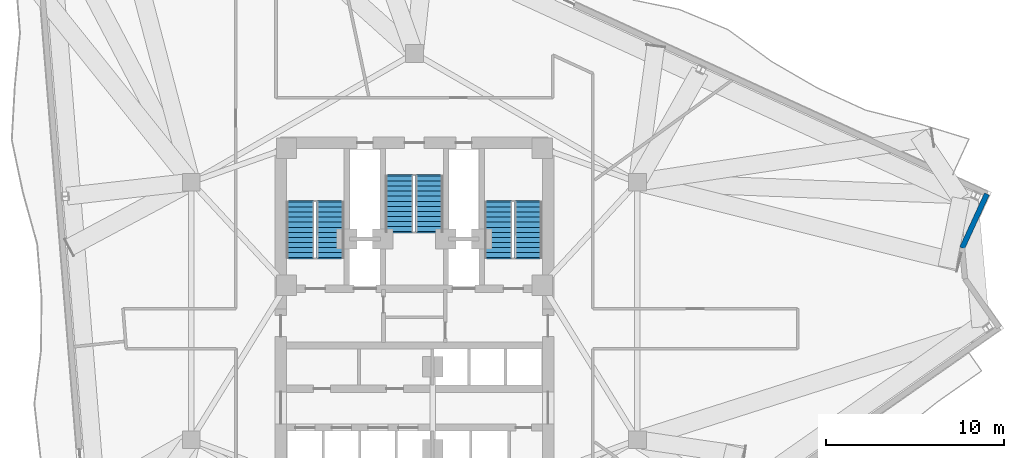
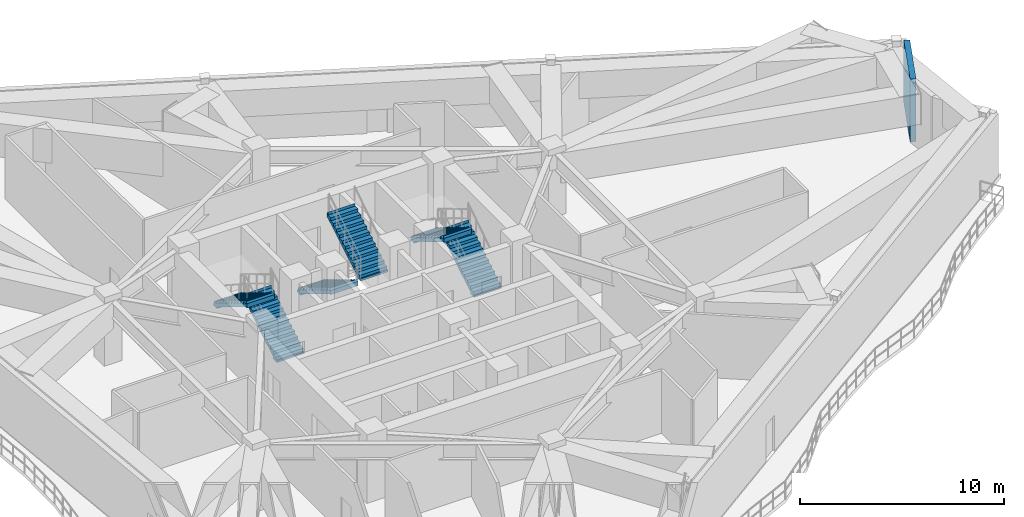
# One storey, part 10 of 14: 6 stair flights, 1 wall, 3 elements without a shape of their own.
"""IFC4 building model written with IfcOpenShell, lengths in metres."""

from ifc_helpers import new_model, si_unit, direction, frame, frame_2d, origin, place, context, subcontext, project, spatial, polyline, rectangle, outline, extrude, material, layer, layer_set, type_object, element, aggregate, save


model = new_model("IFC4")

# Units and contexts
model_context = context("Model", 3, precision=1e-05, world=origin(), true_north=direction((0.0, 1.0)))
body_context = subcontext(model_context, "Body", "Model", "MODEL_VIEW")
ifc_project = project(units=[si_unit("LENGTHUNIT", "METRE"), si_unit("AREAUNIT", "SQUARE_METRE"), si_unit("VOLUMEUNIT", "CUBIC_METRE"), si_unit("PLANEANGLEUNIT", "RADIAN"), si_unit("MASSUNIT", "GRAM", prefix="KILO")], contexts=[model_context])

# Site, building, storey
site_placement = place(None, origin())
site = spatial("IfcSite", under=ifc_project, at=site_placement, CompositionType="ELEMENT")
building_placement = place(site_placement, origin())
building = spatial("IfcBuilding", under=site, at=building_placement, Name="Apsidion Concourse Tower", CompositionType="ELEMENT")
storey_placement = place(building_placement, frame((0.0, 0.0, 222.89990234375)))
storey = spatial("IfcBuildingStorey", under=building, at=storey_placement, Name="L52", CompositionType="ELEMENT", Elevation=222.89990234375)

# Wall
ifc_material = material(Name="Precast concrete C40/50", Category="concrete")
ifc_layer = layer(ifc_material, 0.300048828125)
ifc_layer_set = layer_set([ifc_layer], Name="Precast concrete C40/50")
wall_type = type_object("IfcWallType", Name="WL-EXT-300", PredefinedType="STANDARD", material=ifc_layer_set)
wall_placement = place(storey_placement, frame((32.237060546875, 6.58740234375, 0.0), z_axis=(0.0, 0.0, 1.0), x_axis=(-0.416956203263, -0.908926578201, 0.0)))
element("IfcWall", 1, at=wall_placement, inside=storey, type_object=wall_type, Name="L52 Precast Stone Facade Wall 02", PredefinedType="STANDARD", context=body_context, shape_type="SweptSolid", body=[
    extrude(rectangle(XDim=3.345703125, YDim=0.300048828125, at=frame_2d((1.6728515625, 0.0))), origin(), (0.0, 0.0, 1.0), 3.75),
])

# Stair, stair flights
stair_type = type_object("IfcStairType", Name="ST-DL-1550", PredefinedType="HALF_TURN_STAIR", material=ifc_material)
stair_1_placement = place(storey_placement, origin())
stair_1 = element("IfcStair", 2, at=stair_1_placement, inside=storey, type_object=stair_type, Name="L52 Protected Core Exit Stair ST1", PredefinedType="HALF_TURN_STAIR")
stair_flight_type = type_object("IfcStairFlightType", Name="SFL-RC-1550", PredefinedType="STRAIGHT", material=ifc_material)
stair_flight_1_placement = place(storey_placement, frame((-4.72509765625, 3.0, 0.0), z_axis=(0.0, 0.0, 1.0), x_axis=(0.0, 1.0, 0.0)))
stair_flight_1 = element("IfcStairFlight", 3, at=stair_flight_1_placement, type_object=stair_flight_type, Name="ST1 flight 1", NumberOfRisers=12, NumberOfTreads=11, PredefinedType="STRAIGHT", RiserHeight=0.170833333, TreadLength=0.285, context=body_context, shape_type="SweptSolid", body=[
    extrude(outline(polyline([(-0.080078125, -0.1123046875), (-0.080078125, 0.0), (0.0, 0.0), (0.0, 0.1708984375), (0.284912109375, 0.1708984375), (0.284912109375, 0.341552734375), (0.570068359375, 0.341552734375), (0.570068359375, 0.512451171875), (0.85498046875, 0.512451171875), (0.85498046875, 0.683349609375), (1.139892578125, 0.683349609375), (1.139892578125, 0.854248046875), (1.425048828125, 0.854248046875), (1.425048828125, 1.02490234375), (1.7099609375, 1.02490234375), (1.7099609375, 1.19580078125), (1.9951171875, 1.19580078125), (1.9951171875, 1.36669921875), (2.280029296875, 1.36669921875), (2.280029296875, 1.53759765625), (2.56494140625, 1.53759765625), (2.56494140625, 1.708251953125), (2.85009765625, 1.708251953125), (2.85009765625, 1.879150390625), (3.135009765625, 1.879150390625), (3.135009765625, 2.050048828125), (3.215087890625, 1.964599609375), (3.215087890625, 1.704345703125), (3.135009765625, 1.704345703125), (0.29150390625, 0.0), (0.29150390625, -0.1123046875), (-0.080078125, -0.1123046875)])), frame((0.0, 0.77490234375, 0.0), z_axis=(0.0, -1.0, 0.0), x_axis=(1.0, 0.0, 0.0)), (0.0, 0.0, 1.0), 1.550048828125),
])
stair_flight_2_placement = place(storey_placement, frame((-6.425048828125, 6.135009765625, 2.050048828125), z_axis=(0.0, 0.0, 1.0), x_axis=(0.0, -1.0, 0.0)))
stair_flight_2 = element("IfcStairFlight", 4, at=stair_flight_2_placement, type_object=stair_flight_type, Name="ST1 flight 2", NumberOfRisers=12, NumberOfTreads=11, PredefinedType="STRAIGHT", RiserHeight=0.170833333, TreadLength=0.285, context=body_context, shape_type="SweptSolid", body=[
    extrude(outline(polyline([(-0.080078125, -0.1123046875), (-0.080078125, 0.0), (0.0, 0.0), (0.0, 0.1708984375), (0.284912109375, 0.1708984375), (0.284912109375, 0.341552734375), (0.570068359375, 0.341552734375), (0.570068359375, 0.512451171875), (0.85498046875, 0.512451171875), (0.85498046875, 0.683349609375), (1.139892578125, 0.683349609375), (1.139892578125, 0.854248046875), (1.425048828125, 0.854248046875), (1.425048828125, 1.02490234375), (1.7099609375, 1.02490234375), (1.7099609375, 1.19580078125), (1.9951171875, 1.19580078125), (1.9951171875, 1.36669921875), (2.280029296875, 1.36669921875), (2.280029296875, 1.53759765625), (2.56494140625, 1.53759765625), (2.56494140625, 1.708251953125), (2.85009765625, 1.708251953125), (2.85009765625, 1.879150390625), (3.135009765625, 1.879150390625), (3.135009765625, 2.050048828125), (3.215087890625, 1.964599609375), (3.215087890625, 1.704345703125), (3.135009765625, 1.704345703125), (0.29150390625, 0.0), (0.29150390625, -0.1123046875), (-0.080078125, -0.1123046875)])), frame((0.0, 0.77490234375, 0.0), z_axis=(0.0, -1.0, 0.0), x_axis=(1.0, 0.0, 0.0)), (0.0, 0.0, 1.0), 1.550048828125),
])
aggregate(stair_1, [stair_flight_1, stair_flight_2])

stair_2_placement = place(storey_placement, origin())
stair_2 = element("IfcStair", 5, at=stair_2_placement, inside=storey, type_object=stair_type, Name="L52 Protected Core Exit Stair ST2", PredefinedType="HALF_TURN_STAIR")
stair_flight_3_placement = place(storey_placement, frame((6.425048828125, 3.0, 0.0), z_axis=(0.0, 0.0, 1.0), x_axis=(0.0, 1.0, 0.0)))
stair_flight_3 = element("IfcStairFlight", 6, at=stair_flight_3_placement, type_object=stair_flight_type, Name="ST2 flight 1", NumberOfRisers=12, NumberOfTreads=11, PredefinedType="STRAIGHT", RiserHeight=0.170833333, TreadLength=0.285, context=body_context, shape_type="SweptSolid", body=[
    extrude(outline(polyline([(-0.080078125, -0.1123046875), (-0.080078125, 0.0), (0.0, 0.0), (0.0, 0.1708984375), (0.284912109375, 0.1708984375), (0.284912109375, 0.341552734375), (0.570068359375, 0.341552734375), (0.570068359375, 0.512451171875), (0.85498046875, 0.512451171875), (0.85498046875, 0.683349609375), (1.139892578125, 0.683349609375), (1.139892578125, 0.854248046875), (1.425048828125, 0.854248046875), (1.425048828125, 1.02490234375), (1.7099609375, 1.02490234375), (1.7099609375, 1.19580078125), (1.9951171875, 1.19580078125), (1.9951171875, 1.36669921875), (2.280029296875, 1.36669921875), (2.280029296875, 1.53759765625), (2.56494140625, 1.53759765625), (2.56494140625, 1.708251953125), (2.85009765625, 1.708251953125), (2.85009765625, 1.879150390625), (3.135009765625, 1.879150390625), (3.135009765625, 2.050048828125), (3.215087890625, 1.964599609375), (3.215087890625, 1.704345703125), (3.135009765625, 1.704345703125), (0.29150390625, 0.0), (0.29150390625, -0.1123046875), (-0.080078125, -0.1123046875)])), frame((0.0, 0.77490234375, 0.0), z_axis=(0.0, -1.0, 0.0), x_axis=(1.0, 0.0, 0.0)), (0.0, 0.0, 1.0), 1.550048828125),
])
stair_flight_4_placement = place(storey_placement, frame((4.72509765625, 6.135009765625, 2.050048828125), z_axis=(0.0, 0.0, 1.0), x_axis=(0.0, -1.0, 0.0)))
stair_flight_4 = element("IfcStairFlight", 7, at=stair_flight_4_placement, type_object=stair_flight_type, Name="ST2 flight 2", NumberOfRisers=12, NumberOfTreads=11, PredefinedType="STRAIGHT", RiserHeight=0.170833333, TreadLength=0.285, context=body_context, shape_type="SweptSolid", body=[
    extrude(outline(polyline([(-0.080078125, -0.1123046875), (-0.080078125, 0.0), (0.0, 0.0), (0.0, 0.1708984375), (0.284912109375, 0.1708984375), (0.284912109375, 0.341552734375), (0.570068359375, 0.341552734375), (0.570068359375, 0.512451171875), (0.85498046875, 0.512451171875), (0.85498046875, 0.683349609375), (1.139892578125, 0.683349609375), (1.139892578125, 0.854248046875), (1.425048828125, 0.854248046875), (1.425048828125, 1.02490234375), (1.7099609375, 1.02490234375), (1.7099609375, 1.19580078125), (1.9951171875, 1.19580078125), (1.9951171875, 1.36669921875), (2.280029296875, 1.36669921875), (2.280029296875, 1.53759765625), (2.56494140625, 1.53759765625), (2.56494140625, 1.708251953125), (2.85009765625, 1.708251953125), (2.85009765625, 1.879150390625), (3.135009765625, 1.879150390625), (3.135009765625, 2.050048828125), (3.215087890625, 1.964599609375), (3.215087890625, 1.704345703125), (3.135009765625, 1.704345703125), (0.29150390625, 0.0), (0.29150390625, -0.1123046875), (-0.080078125, -0.1123046875)])), frame((0.0, 0.77490234375, 0.0), z_axis=(0.0, -1.0, 0.0), x_axis=(1.0, 0.0, 0.0)), (0.0, 0.0, 1.0), 1.550048828125),
])
aggregate(stair_2, [stair_flight_3, stair_flight_4])

stair_3_placement = place(storey_placement, origin())
stair_3 = element("IfcStair", 8, at=stair_3_placement, inside=storey, type_object=stair_type, Name="L52 Protected Core Exit Stair ST3", PredefinedType="HALF_TURN_STAIR")
stair_flight_5_placement = place(storey_placement, frame((-0.85009765625, 7.60009765625, 0.0), z_axis=(0.0, 0.0, 1.0), x_axis=(0.0, -1.0, 0.0)))
stair_flight_5 = element("IfcStairFlight", 9, at=stair_flight_5_placement, type_object=stair_flight_type, Name="ST3 flight 1", NumberOfRisers=12, NumberOfTreads=11, PredefinedType="STRAIGHT", RiserHeight=0.170833333, TreadLength=0.285, context=body_context, shape_type="SweptSolid", body=[
    extrude(outline(polyline([(-0.080078125, -0.1123046875), (-0.080078125, 0.0), (0.0, 0.0), (0.0, 0.1708984375), (0.284912109375, 0.1708984375), (0.284912109375, 0.341552734375), (0.570068359375, 0.341552734375), (0.570068359375, 0.512451171875), (0.85498046875, 0.512451171875), (0.85498046875, 0.683349609375), (1.139892578125, 0.683349609375), (1.139892578125, 0.854248046875), (1.425048828125, 0.854248046875), (1.425048828125, 1.02490234375), (1.7099609375, 1.02490234375), (1.7099609375, 1.19580078125), (1.9951171875, 1.19580078125), (1.9951171875, 1.36669921875), (2.280029296875, 1.36669921875), (2.280029296875, 1.53759765625), (2.56494140625, 1.53759765625), (2.56494140625, 1.708251953125), (2.85009765625, 1.708251953125), (2.85009765625, 1.879150390625), (3.135009765625, 1.879150390625), (3.135009765625, 2.050048828125), (3.215087890625, 1.964599609375), (3.215087890625, 1.704345703125), (3.135009765625, 1.704345703125), (0.29150390625, 0.0), (0.29150390625, -0.1123046875), (-0.080078125, -0.1123046875)])), frame((0.0, 0.77490234375, 0.0), z_axis=(0.0, -1.0, 0.0), x_axis=(1.0, 0.0, 0.0)), (0.0, 0.0, 1.0), 1.550048828125),
])
stair_flight_6_placement = place(storey_placement, frame((0.85009765625, 4.465087890625, 2.050048828125), z_axis=(0.0, 0.0, 1.0), x_axis=(0.0, 1.0, 0.0)))
stair_flight_6 = element("IfcStairFlight", 10, at=stair_flight_6_placement, type_object=stair_flight_type, Name="ST3 flight 2", NumberOfRisers=12, NumberOfTreads=11, PredefinedType="STRAIGHT", RiserHeight=0.170833333, TreadLength=0.285, context=body_context, shape_type="SweptSolid", body=[
    extrude(outline(polyline([(-0.080078125, -0.1123046875), (-0.080078125, 0.0), (0.0, 0.0), (0.0, 0.1708984375), (0.284912109375, 0.1708984375), (0.284912109375, 0.341552734375), (0.570068359375, 0.341552734375), (0.570068359375, 0.512451171875), (0.85498046875, 0.512451171875), (0.85498046875, 0.683349609375), (1.139892578125, 0.683349609375), (1.139892578125, 0.854248046875), (1.425048828125, 0.854248046875), (1.425048828125, 1.02490234375), (1.7099609375, 1.02490234375), (1.7099609375, 1.19580078125), (1.9951171875, 1.19580078125), (1.9951171875, 1.36669921875), (2.280029296875, 1.36669921875), (2.280029296875, 1.53759765625), (2.56494140625, 1.53759765625), (2.56494140625, 1.708251953125), (2.85009765625, 1.708251953125), (2.85009765625, 1.879150390625), (3.135009765625, 1.879150390625), (3.135009765625, 2.050048828125), (3.215087890625, 1.964599609375), (3.215087890625, 1.704345703125), (3.135009765625, 1.704345703125), (0.29150390625, 0.0), (0.29150390625, -0.1123046875), (-0.080078125, -0.1123046875)])), frame((0.0, 0.77490234375, 0.0), z_axis=(0.0, -1.0, 0.0), x_axis=(1.0, 0.0, 0.0)), (0.0, 0.0, 1.0), 1.550048828125),
])
aggregate(stair_3, [stair_flight_5, stair_flight_6])

save(model, "model.ifc")
